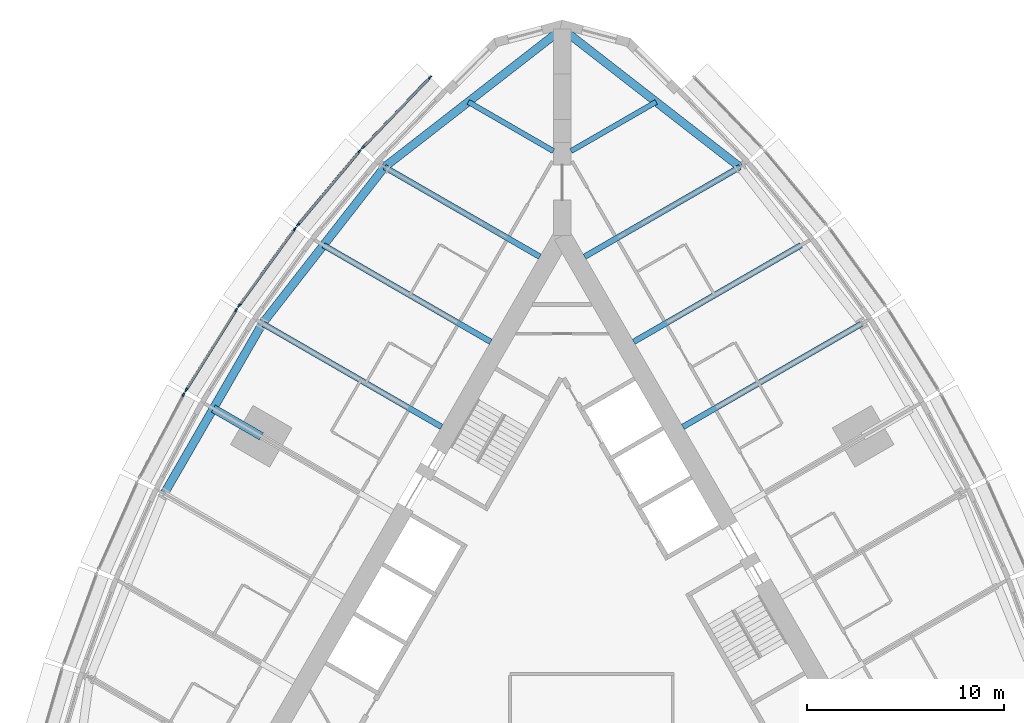
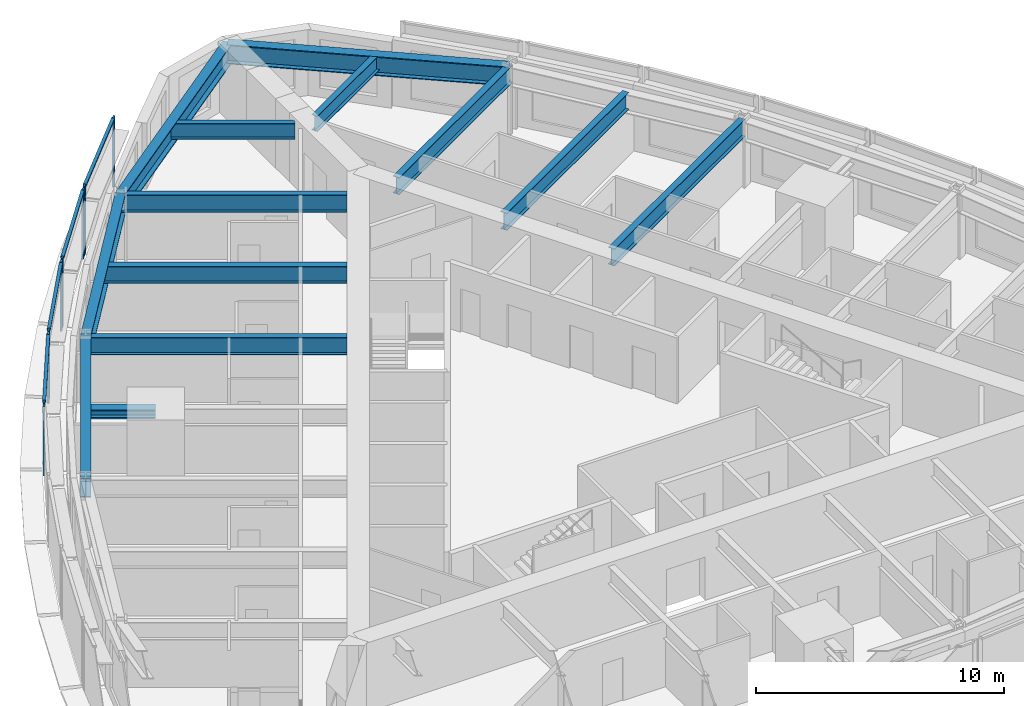
# One storey, part 4 of 14: 13 beams, 13 members, 5 elements without a shape of their own.
"""IFC4 building model written with IfcOpenShell, lengths in metres."""

from ifc_helpers import new_model, si_unit, direction, frame, origin, origin_2d, place, context, subcontext, project, spatial, rectangle, i_section, extrude, material, material_profile, profile_set, type_object, element, aggregate, save


model = new_model("IFC4")

# Units and contexts
model_context = context("Model", 3, precision=1e-05, world=origin(), true_north=direction((0.0, 1.0)))
body_context = subcontext(model_context, "Body", "Model", "MODEL_VIEW")
ifc_project = project(units=[si_unit("LENGTHUNIT", "METRE"), si_unit("AREAUNIT", "SQUARE_METRE"), si_unit("VOLUMEUNIT", "CUBIC_METRE"), si_unit("PLANEANGLEUNIT", "RADIAN"), si_unit("MASSUNIT", "GRAM", prefix="KILO")], contexts=[model_context])

# Site, building, storey
site_placement = place(None, origin())
site = spatial("IfcSite", under=ifc_project, at=site_placement, CompositionType="ELEMENT")
building_placement = place(site_placement, origin())
building = spatial("IfcBuilding", under=site, at=building_placement, Name="Trikona Tower", CompositionType="ELEMENT")
storey_placement = place(building_placement, frame((0.0, 0.0, 141.89990234375)))
storey = spatial("IfcBuildingStorey", under=building, at=storey_placement, Name="L37", CompositionType="ELEMENT", Elevation=141.89990234375)

# Curtain wall, members
ifc_material_1 = material(Name="Aluminium curtain wall system", Category="aluminium")
curtain_wall_type = type_object("IfcCurtainWallType", Name="Curtain wall DS2", PredefinedType="NOTDEFINED", material=ifc_material_1)
curtain_wall_1_placement = place(storey_placement, origin())
curtain_wall_1 = element("IfcCurtainWall", 1, at=curtain_wall_1_placement, inside=storey, type_object=curtain_wall_type, Name="Curtain wall DS2 L37", PredefinedType="NOTDEFINED")
ifc_material_2 = material(Name="Aluminium mullion, pale anodised", Category="aluminium")
ifc_material_profile_1 = material_profile(ifc_material_2, rectangle(XDim=0.080078125, YDim=0.199951171875, at=origin_2d()), Name="MUL-DS2")
ifc_profile_set_1 = profile_set([ifc_material_profile_1], Name="Aluminium mullion, pale anodised")
member_type_1 = type_object("IfcMemberType", Name="Mullion DS2 80x200", PredefinedType="MULLION", material=ifc_profile_set_1)
member_1_placement = place(storey_placement, frame((-6.718994140625, 27.1083984375, 0.0), z_axis=(0.0, 0.0, 1.0), x_axis=(0.722158330767, -0.691727797117, 0.0)))
member_1 = element("IfcMember", 2, at=member_1_placement, type_object=member_type_1, Name="CW-DS2 mullion 1", PredefinedType="MULLION", context=body_context, shape_type="SweptSolid", body=[
    extrude(rectangle(XDim=0.080078125, YDim=0.199951171875, at=origin_2d()), origin(), (0.0, 0.0, 1.0), 3.400146484375),
])
member_2_placement = place(storey_placement, frame((-10.1416015625, 23.535400390625, 0.0), z_axis=(0.0, 0.0, 1.0), x_axis=(0.722158330767, -0.691727797117, 0.0)))
member_2 = element("IfcMember", 3, at=member_2_placement, type_object=member_type_1, Name="CW-DS2 mullion 2", PredefinedType="MULLION", context=body_context, shape_type="SweptSolid", body=[
    extrude(rectangle(XDim=0.080078125, YDim=0.199951171875, at=origin_2d()), origin(), (0.0, 0.0, 1.0), 3.400146484375),
])

curtain_wall_2_placement = place(storey_placement, origin())
curtain_wall_2 = element("IfcCurtainWall", 4, at=curtain_wall_2_placement, inside=storey, type_object=curtain_wall_type, Name="Curtain wall DS2 L37", PredefinedType="NOTDEFINED")
member_3_placement = place(storey_placement, frame((-10.315185546875, 23.34130859375, 0.0), z_axis=(0.0, 0.0, 1.0), x_axis=(0.766866678271, -0.641806433248, 0.0)))
member_3 = element("IfcMember", 5, at=member_3_placement, type_object=member_type_1, Name="CW-DS2 mullion 1", PredefinedType="MULLION", context=body_context, shape_type="SweptSolid", body=[
    extrude(rectangle(XDim=0.080078125, YDim=0.199951171875, at=origin_2d()), origin(), (0.0, 0.0, 1.0), 3.400146484375),
])
member_4_placement = place(storey_placement, frame((-13.44482421875, 19.602294921875, 0.0), z_axis=(0.0, 0.0, 1.0), x_axis=(0.766866678271, -0.641806433248, 0.0)))
member_4 = element("IfcMember", 6, at=member_4_placement, type_object=member_type_1, Name="CW-DS2 mullion 2", PredefinedType="MULLION", context=body_context, shape_type="SweptSolid", body=[
    extrude(rectangle(XDim=0.080078125, YDim=0.199951171875, at=origin_2d()), origin(), (0.0, 0.0, 1.0), 3.400146484375),
])

curtain_wall_3_placement = place(storey_placement, origin())
curtain_wall_3 = element("IfcCurtainWall", 7, at=curtain_wall_3_placement, inside=storey, type_object=curtain_wall_type, Name="Curtain wall DS2 L37", PredefinedType="NOTDEFINED")
member_5_placement = place(storey_placement, frame((-13.605712890625, 19.39599609375, 0.0), z_axis=(0.0, 0.0, 1.0), x_axis=(0.80908576332, -0.587690588313, 0.0)))
member_5 = element("IfcMember", 8, at=member_5_placement, type_object=member_type_1, Name="CW-DS2 mullion 1", PredefinedType="MULLION", context=body_context, shape_type="SweptSolid", body=[
    extrude(rectangle(XDim=0.080078125, YDim=0.199951171875, at=origin_2d()), origin(), (0.0, 0.0, 1.0), 3.400146484375),
])
member_6_placement = place(storey_placement, frame((-16.442626953125, 15.489990234375, 0.0), z_axis=(0.0, 0.0, 1.0), x_axis=(0.80908576332, -0.587690588313, 0.0)))
member_6 = element("IfcMember", 9, at=member_6_placement, type_object=member_type_1, Name="CW-DS2 mullion 2", PredefinedType="MULLION", context=body_context, shape_type="SweptSolid", body=[
    extrude(rectangle(XDim=0.080078125, YDim=0.199951171875, at=origin_2d()), origin(), (0.0, 0.0, 1.0), 3.400146484375),
])

curtain_wall_4_placement = place(storey_placement, origin())
curtain_wall_4 = element("IfcCurtainWall", 10, at=curtain_wall_4_placement, inside=storey, type_object=curtain_wall_type, Name="Curtain wall DS2 L37", PredefinedType="NOTDEFINED")
member_7_placement = place(storey_placement, frame((-16.589599609375, 15.2724609375, 0.0), z_axis=(0.0, 0.0, 1.0), x_axis=(0.847998304006, -0.529998940002, 0.0)))
member_7 = element("IfcMember", 11, at=member_7_placement, type_object=member_type_1, Name="CW-DS2 mullion 1", PredefinedType="MULLION", context=body_context, shape_type="SweptSolid", body=[
    extrude(rectangle(XDim=0.080078125, YDim=0.199951171875, at=origin_2d()), origin(), (0.0, 0.0, 1.0), 3.400146484375),
])
member_8_placement = place(storey_placement, frame((-19.135009765625, 11.199462890625, 0.0), z_axis=(0.0, 0.0, 1.0), x_axis=(0.847998304006, -0.529998940002, 0.0)))
member_8 = element("IfcMember", 12, at=member_8_placement, type_object=member_type_1, Name="CW-DS2 mullion 2", PredefinedType="MULLION", context=body_context, shape_type="SweptSolid", body=[
    extrude(rectangle(XDim=0.080078125, YDim=0.199951171875, at=origin_2d()), origin(), (0.0, 0.0, 1.0), 3.400146484375),
])

# Curtain wall, member
curtain_wall_5_placement = place(storey_placement, origin())
curtain_wall_5 = element("IfcCurtainWall", 13, at=curtain_wall_5_placement, inside=storey, type_object=curtain_wall_type, Name="Curtain wall DS2 L37", PredefinedType="NOTDEFINED")
member_9_placement = place(storey_placement, frame((-19.2666015625, 10.9716796875, 0.0), z_axis=(0.0, 0.0, 1.0), x_axis=(0.882996107343, -0.469380308937, 0.0)))
member_9 = element("IfcMember", 14, at=member_9_placement, type_object=member_type_1, Name="CW-DS2 mullion 1", PredefinedType="MULLION", context=body_context, shape_type="SweptSolid", body=[
    extrude(rectangle(XDim=0.080078125, YDim=0.199951171875, at=origin_2d()), origin(), (0.0, 0.0, 1.0), 3.400146484375),
])
aggregate(curtain_wall_5, [member_9])

# Beams
ifc_material_3 = material(Name="Steel ASTM A992 Grade 50", Category="steel")
ifc_material_profile_2 = material_profile(ifc_material_3, i_section(OverallWidth=0.419189453125, OverallDepth=0.45458984375, WebThickness=0.042236328125, FlangeThickness=0.067626953125, at=origin_2d()), Name="W14X370")
ifc_profile_set_2 = profile_set([ifc_material_profile_2], Name="Steel ASTM A992 Grade 50")
beam_type_1 = type_object("IfcBeamType", Name="Steel beam W14x370 (apex bracket)", PredefinedType="BEAM", material=ifc_profile_set_2)
beam_1_placement = place(storey_placement, frame((-15.311767578125, 8.84033203125, 3.0078125), z_axis=(-0.86605005072, 0.499957307824, 0.0), x_axis=(-0.499957307824, -0.86605005072, 0.0)))
element("IfcBeam", 15, at=beam_1_placement, inside=storey, type_object=beam_type_1, Name="Cantilever bracket L38 F3", PredefinedType="BEAM", context=body_context, shape_type="SweptSolid", body=[
    extrude(i_section(OverallWidth=0.419189453125, OverallDepth=0.45458984375, WebThickness=0.042236328125, FlangeThickness=0.067626953125, at=origin_2d()), origin(), (0.0, 0.0, 1.0), 2.819580078125),
])
ifc_material_4 = material(Name="Steel ASTM A992 Grade 50", Category="steel")
ifc_material_profile_3 = material_profile(ifc_material_4, i_section(OverallWidth=0.2666015625, OverallDepth=0.76953125, WebThickness=0.015625, FlangeThickness=0.025390625, at=origin_2d()), Name="W30X132")
ifc_profile_set_3 = profile_set([ifc_material_profile_3], Name="Steel ASTM A992 Grade 50")
beam_type_2 = type_object("IfcBeamType", Name="Steel beam W30x132 (wedge)", PredefinedType="BEAM", material=ifc_profile_set_3)
for number, where, z_axis, x_axis, name in (
    (16, (0.449951171875, 23.353759765625, 2.850341796875), (0.866038434829, 0.49997742889, 0.0), (-0.49997742889, 0.866038434829, 0.0), "Floor beam L38 F2 u20"),
    (17, (-0.449951171875, 23.353759765625, 2.850341796875), (-0.866038434829, 0.49997742889, 0.0), (-0.49997742889, -0.866038434829, 0.0), "Floor beam L38 F3 u-20"),
):
    element("IfcBeam", number, at=place(storey_placement, frame(where, z_axis=z_axis, x_axis=x_axis)), inside=storey, type_object=beam_type_2, Name=name, PredefinedType="BEAM", context=body_context, shape_type="SweptSolid", body=[
        extrude(i_section(OverallWidth=0.2666015625, OverallDepth=0.76953125, WebThickness=0.015625, FlangeThickness=0.025390625, at=origin_2d()), origin(), (0.0, 0.0, 1.0), 5.000732421875),
    ])
ifc_material_5 = material(Name="Steel ASTM A992 Grade 50", Category="steel")
ifc_material_profile_4 = material_profile(ifc_material_5, i_section(OverallWidth=0.2919921875, OverallDepth=0.845703125, WebThickness=0.015380859375, FlangeThickness=0.0244140625, at=origin_2d()), Name="W33X141")
ifc_profile_set_4 = profile_set([ifc_material_profile_4], Name="Steel ASTM A992 Grade 50")
beam_type_3 = type_object("IfcBeamType", Name="Steel beam W33x141 (radial typ)", PredefinedType="BEAM", material=ifc_profile_set_4)
beam_2_placement = place(storey_placement, frame((6.1396484375, 9.318359375, 2.812255859375), z_axis=(0.866036080828, 0.499981506362, 0.0), x_axis=(-0.499981506362, 0.866036080828, 0.0)))
element("IfcBeam", 18, at=beam_2_placement, inside=storey, type_object=beam_type_3, Name="Floor beam L38 F2 u5", PredefinedType="BEAM", context=body_context, shape_type="SweptSolid", body=[
    extrude(i_section(OverallWidth=0.2919921875, OverallDepth=0.845703125, WebThickness=0.015380859375, FlangeThickness=0.0244140625, at=origin_2d()), origin(), (0.0, 0.0, 1.0), 10.52392578125),
])
beam_3_placement = place(storey_placement, frame((3.6396484375, 13.6484375, 2.812255859375), z_axis=(0.866030807744, 0.499990639951, 0.0), x_axis=(-0.499990639951, 0.866030807744, 0.0)))
element("IfcBeam", 19, at=beam_3_placement, inside=storey, type_object=beam_type_3, Name="Floor beam L38 F2 u10", PredefinedType="BEAM", context=body_context, shape_type="SweptSolid", body=[
    extrude(i_section(OverallWidth=0.2919921875, OverallDepth=0.845703125, WebThickness=0.015380859375, FlangeThickness=0.0244140625, at=origin_2d()), origin(), (0.0, 0.0, 1.0), 9.823974609375),
])
for number, where, z_axis, x_axis, name in (
    (20, (1.1396484375, 17.978515625, 2.812255859375), (0.866024725532, 0.500001174766, 0.0), (-0.500001174766, 0.866024725532, 0.0), "Floor beam L38 F2 u15"),
    (21, (-1.1396484375, 17.978515625, 2.812255859375), (-0.866024725532, 0.500001174766, 0.0), (-0.500001174766, -0.866024725532, 0.0), "Floor beam L38 F3 u-15"),
):
    element("IfcBeam", number, at=place(storey_placement, frame(where, z_axis=z_axis, x_axis=x_axis)), inside=storey, type_object=beam_type_3, Name=name, PredefinedType="BEAM", context=body_context, shape_type="SweptSolid", body=[
        extrude(i_section(OverallWidth=0.2919921875, OverallDepth=0.845703125, WebThickness=0.015380859375, FlangeThickness=0.0244140625, at=origin_2d()), origin(), (0.0, 0.0, 1.0), 9.1240234375),
    ])
beam_4_placement = place(storey_placement, frame((-3.6396484375, 13.6484375, 2.812255859375), z_axis=(-0.866030807744, 0.499990639951, 0.0), x_axis=(-0.499990639951, -0.866030807744, 0.0)))
element("IfcBeam", 22, at=beam_4_placement, inside=storey, type_object=beam_type_3, Name="Floor beam L38 F3 u-10", PredefinedType="BEAM", context=body_context, shape_type="SweptSolid", body=[
    extrude(i_section(OverallWidth=0.2919921875, OverallDepth=0.845703125, WebThickness=0.015380859375, FlangeThickness=0.0244140625, at=origin_2d()), origin(), (0.0, 0.0, 1.0), 9.823974609375),
])
beam_5_placement = place(storey_placement, frame((-6.1396484375, 9.318359375, 2.812255859375), z_axis=(-0.866036080828, 0.499981506362, 0.0), x_axis=(-0.499981506362, -0.866036080828, 0.0)))
element("IfcBeam", 23, at=beam_5_placement, inside=storey, type_object=beam_type_3, Name="Floor beam L38 F3 u-5", PredefinedType="BEAM", context=body_context, shape_type="SweptSolid", body=[
    extrude(i_section(OverallWidth=0.2919921875, OverallDepth=0.845703125, WebThickness=0.015380859375, FlangeThickness=0.0244140625, at=origin_2d()), origin(), (0.0, 0.0, 1.0), 10.52392578125),
])
ifc_material_6 = material(Name="Steel ASTM A992 Grade 50", Category="steel")
ifc_material_profile_5 = material_profile(ifc_material_6, i_section(OverallWidth=0.424072265625, OverallDepth=0.947509765625, WebThickness=0.02392578125, FlangeThickness=0.042724609375, at=origin_2d()), Name="W36X302")
ifc_profile_set_5 = profile_set([ifc_material_profile_5], Name="Steel ASTM A992 Grade 50")
beam_type_4 = type_object("IfcBeamType", Name="Steel beam W36x302 (spandrel)", PredefinedType="SPANDREL", material=ifc_profile_set_5)
for number, where, z_axis, x_axis, name in (
    (24, (9.041259765625, 22.54052734375, 2.761474609375), (-0.789367137808, 0.613921429621, 0.0), (-0.613921429621, -0.789367137808, 0.0), "Spandrel beam L38 F2-5"),
    (25, (0.0, 29.572265625, 2.761474609375), (-0.789367137808, -0.613921429621, 0.0), (0.613921429621, -0.789367137808, 0.0), "Spandrel beam L38 F3-1"),
):
    element("IfcBeam", number, at=place(storey_placement, frame(where, z_axis=z_axis, x_axis=x_axis)), inside=storey, type_object=beam_type_4, Name=name, PredefinedType="SPANDREL", context=body_context, shape_type="SweptSolid", body=[
        extrude(i_section(OverallWidth=0.424072265625, OverallDepth=0.947509765625, WebThickness=0.02392578125, FlangeThickness=0.042724609375, at=origin_2d()), origin(), (0.0, 0.0, 1.0), 11.453857421875),
    ])
beam_6_placement = place(storey_placement, frame((-9.041259765625, 22.54052734375, 2.761474609375), z_axis=(-0.615232009054, -0.788346101046, 0.0), x_axis=(0.788346101046, -0.615232009054, 0.0)))
element("IfcBeam", 26, at=beam_6_placement, inside=storey, type_object=beam_type_4, Name="Spandrel beam L38 F3-2", PredefinedType="SPANDREL", context=body_context, shape_type="SweptSolid", body=[
    extrude(i_section(OverallWidth=0.424072265625, OverallDepth=0.947509765625, WebThickness=0.02392578125, FlangeThickness=0.042724609375, at=origin_2d()), origin(), (0.0, 0.0, 1.0), 10.09765625),
])
beam_7_placement = place(storey_placement, frame((-15.253662109375, 14.580078125, 2.761474609375), z_axis=(-0.500004234368, -0.866022959057, 0.0), x_axis=(0.866022959057, -0.500004234368, 0.0)))
element("IfcBeam", 27, at=beam_7_placement, inside=storey, type_object=beam_type_4, Name="Spandrel beam L38 F3-3", PredefinedType="SPANDREL", context=body_context, shape_type="SweptSolid", body=[
    extrude(i_section(OverallWidth=0.424072265625, OverallDepth=0.947509765625, WebThickness=0.02392578125, FlangeThickness=0.042724609375, at=origin_2d()), origin(), (0.0, 0.0, 1.0), 10.0),
])

# Member
ifc_material_7 = material(Name="Aluminium transom, pale anodised", Category="aluminium")
ifc_material_profile_6 = material_profile(ifc_material_7, rectangle(XDim=0.139892578125, YDim=0.080078125, at=origin_2d()), Name="TRN-DS2")
ifc_profile_set_6 = profile_set([ifc_material_profile_6], Name="Aluminium transom, pale anodised")
member_type_2 = type_object("IfcMemberType", Name="Transom DS2 80x140", PredefinedType="USERDEFINED", material=ifc_profile_set_6)
member_10_placement = place(storey_placement, frame((-6.746826171875, 27.07958984375, 3.360107421875), z_axis=(-0.691721246785, -0.722164605022, 0.0), x_axis=(0.722164605022, -0.691721246785, 0.0)))
member_10 = element("IfcMember", 28, at=member_10_placement, type_object=member_type_2, Name="CW-DS2 transom 1.1", ObjectType="TRANSOM", PredefinedType="USERDEFINED", context=body_context, shape_type="SweptSolid", body=[
    extrude(rectangle(XDim=0.139892578125, YDim=0.080078125, at=origin_2d()), origin(), (0.0, 0.0, 1.0), 4.867919921875),
])

aggregate(curtain_wall_1, [member_1, member_2, member_10])

member_11_placement = place(storey_placement, frame((-10.341064453125, 23.310791015625, 3.360107421875), z_axis=(-0.641770294892, -0.766896921753, 0.0), x_axis=(0.766896921753, -0.641770294892, 0.0)))
member_11 = element("IfcMember", 29, at=member_11_placement, type_object=member_type_2, Name="CW-DS2 transom 1.1", ObjectType="TRANSOM", PredefinedType="USERDEFINED", context=body_context, shape_type="SweptSolid", body=[
    extrude(rectangle(XDim=0.139892578125, YDim=0.080078125, at=origin_2d()), origin(), (0.0, 0.0, 1.0), 4.7958984375),
])

aggregate(curtain_wall_2, [member_3, member_4, member_11])

member_12_placement = place(storey_placement, frame((-13.629150390625, 19.363525390625, 3.360107421875), z_axis=(-0.587694585883, -0.809082859616, 0.0), x_axis=(0.809082859616, -0.587694585883, 0.0)))
member_12 = element("IfcMember", 30, at=member_12_placement, type_object=member_type_2, Name="CW-DS2 transom 1.1", ObjectType="TRANSOM", PredefinedType="USERDEFINED", context=body_context, shape_type="SweptSolid", body=[
    extrude(rectangle(XDim=0.139892578125, YDim=0.080078125, at=origin_2d()), origin(), (0.0, 0.0, 1.0), 4.747314453125),
])

aggregate(curtain_wall_3, [member_5, member_6, member_12])

member_13_placement = place(storey_placement, frame((-16.610595703125, 15.238525390625, 3.360107421875), z_axis=(-0.530031463794, -0.847977975769, 0.0), x_axis=(0.847977975769, -0.530031463794, 0.0)))
member_13 = element("IfcMember", 31, at=member_13_placement, type_object=member_type_2, Name="CW-DS2 transom 1.1", ObjectType="TRANSOM", PredefinedType="USERDEFINED", context=body_context, shape_type="SweptSolid", body=[
    extrude(rectangle(XDim=0.139892578125, YDim=0.080078125, at=origin_2d()), origin(), (0.0, 0.0, 1.0), 4.72314453125),
])

aggregate(curtain_wall_4, [member_7, member_8, member_13])

save(model, "model.ifc")
